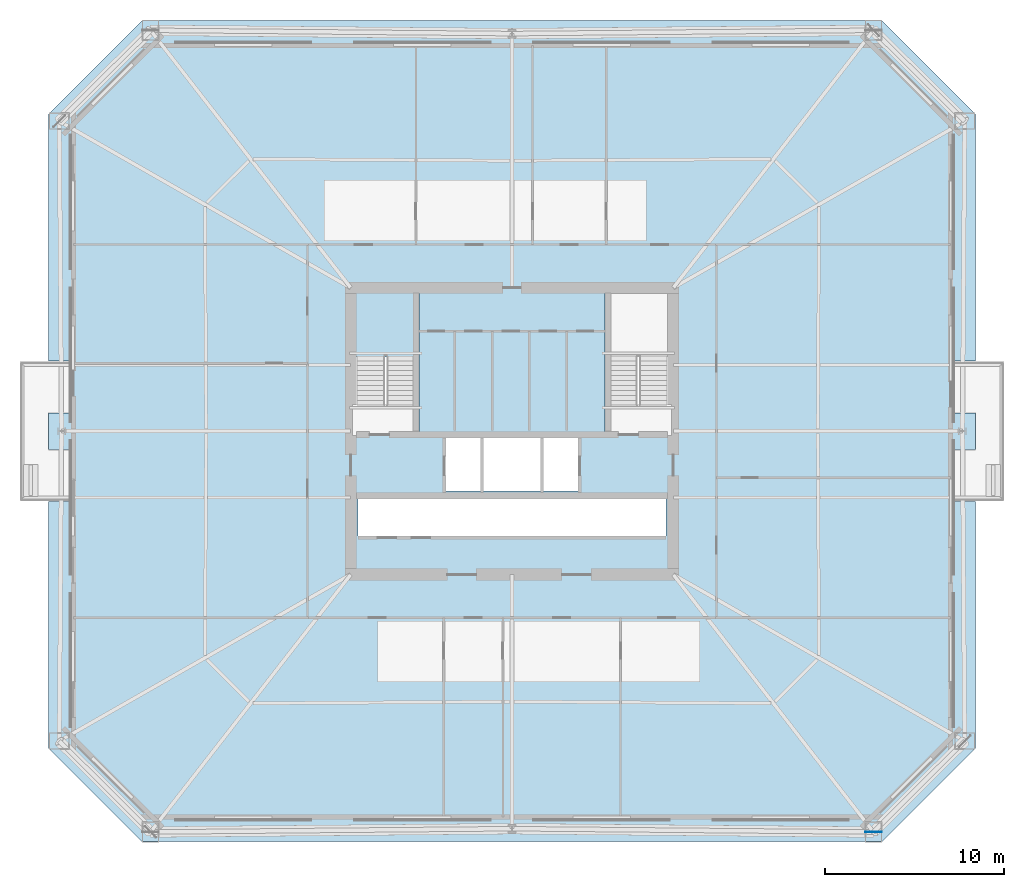
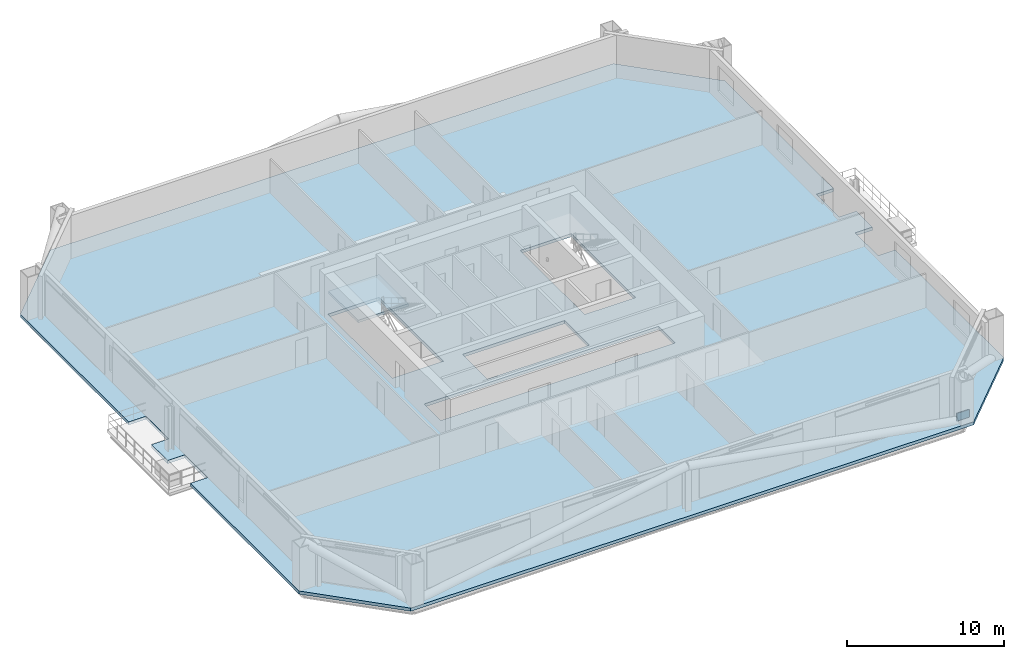
# One storey, part 3 of 10: 2 slabs, 1 plate, 1 element without a shape of its own.
"""IFC4 building model written with IfcOpenShell, lengths in metres."""

from ifc_helpers import new_model, si_unit, direction, frame, origin, origin_2d, place, context, subcontext, project, spatial, polyline, rectangle, outline, extrude, material, layer, layer_set, type_object, element, aggregate, save


model = new_model("IFC4")

# Units and contexts
model_context = context("Model", 3, precision=1e-05, world=origin(), true_north=direction((0.0, 1.0)))
body_context = subcontext(model_context, "Body", "Model", "MODEL_VIEW")
ifc_project = project(units=[si_unit("LENGTHUNIT", "METRE"), si_unit("AREAUNIT", "SQUARE_METRE"), si_unit("VOLUMEUNIT", "CUBIC_METRE"), si_unit("PLANEANGLEUNIT", "RADIAN"), si_unit("MASSUNIT", "GRAM", prefix="KILO")], contexts=[model_context])

# Site, building, storey
site_placement = place(None, origin())
site = spatial("IfcSite", under=ifc_project, at=site_placement, CompositionType="ELEMENT")
building_placement = place(site_placement, origin())
building = spatial("IfcBuilding", under=site, at=building_placement, Name="Caelvoria Tower", CompositionType="ELEMENT")
storey_placement = place(building_placement, frame((0.0, 0.0, 60.39990234375)))
storey = spatial("IfcBuildingStorey", under=building, at=storey_placement, Name="L15", CompositionType="ELEMENT", Elevation=60.39990234375)

# Plate
ifc_material_1 = material(Name="Structural Steel ASTM A572 Gr.50", Category="steel")
ifc_layer_1 = layer(ifc_material_1, 0.0400390625, Name="Structural Steel ASTM A572 Gr.50")
ifc_layer_set_1 = layer_set([ifc_layer_1], Name="Megaframe Node Gusset Plate 900x600x40 - Structural Steel ASTM A572 Gr.50")
plate_type = type_object("IfcPlateType", Name="Megaframe Node Gusset Plate 900x600x40", PredefinedType="USERDEFINED", material=ifc_layer_set_1)
plate_placement = place(storey_placement, frame((66.167724609375, 9.634765625, 0.050048828125), z_axis=(0.0, 0.0, 1.0), x_axis=(-0.999957796016, 0.009187283934, 0.0)))
element("IfcPlate", 1, at=plate_placement, inside=storey, type_object=plate_type, Name="Megaframe Node Gusset Plate ND-04", ObjectType="GUSSET_PLATE", PredefinedType="USERDEFINED", context=body_context, shape_type="SweptSolid", body=[
    extrude(rectangle(XDim=0.89990234375, YDim=0.0400390625, at=origin_2d()), origin(), (0.0, 0.0, 1.0), 0.60009765625),
])

# Stair, slab
ifc_material_2 = material(Name="Concrete C40/50", Category="concrete")
stair_type = type_object("IfcStairType", Name="Core Smokeproof Dogleg Stair Concrete C40/50", PredefinedType="HALF_TURN_STAIR", material=ifc_material_2)
stair_placement = place(storey_placement, origin())
stair = element("IfcStair", 2, at=stair_placement, inside=storey, type_object=stair_type, Name="ST-01 Smokeproof Exit Stair L15", PredefinedType="HALF_TURN_STAIR")
ifc_layer_2 = layer(ifc_material_2, 0.199951171875, Name="Concrete C40/50")
ifc_layer_set_2 = layer_set([ifc_layer_2], Name="Stair Half and Floor Landing Slab 200 Concrete C40/50 - Concrete C40/50")
slab_type_1 = type_object("IfcSlabType", Name="Stair Half and Floor Landing Slab 200 Concrete C40/50", PredefinedType="LANDING", material=ifc_layer_set_2)
slab_1_placement = place(storey_placement, frame((0.0, 0.0, 1.60009765625)))
slab_1 = element("IfcSlab", 3, at=slab_1_placement, type_object=slab_type_1, Name="ST-01 landing 2", PredefinedType="LANDING", context=body_context, shape_type="SweptSolid", body=[
    extrude(outline(polyline([(37.10009765625, 36.14990234375), (40.800048828125, 36.14990234375), (40.800048828125, 39.89990234375), (37.10009765625, 39.89990234375), (37.10009765625, 36.14990234375)])), origin(), (0.0, 0.0, 1.0), 0.199951171875),
])
aggregate(stair, [slab_1])

# Slab
ifc_layer_3 = layer(ifc_material_2, 0.239990234375, Name="Concrete C40/50")
ifc_layer_set_3 = layer_set([ifc_layer_3], Name="Tower Composite Office Slab 240 - Concrete C40/50")
slab_type_2 = type_object("IfcSlabType", Name="Tower Composite Office Slab 240", PredefinedType="FLOOR", material=ifc_layer_set_3)
slab_2_placement = place(storey_placement, frame((0.0, 0.0, -0.239990234375)))
element("IfcSlab", 4, at=slab_2_placement, inside=storey, type_object=slab_type_2, Name="Level L15 Structural Floor Slab", PredefinedType="FLOOR", context=body_context, shape_type="SweptSolid", body=[
    extrude(outline(polyline([(66.64990234375, 54.89990234375), (25.35009765625, 54.89990234375), (20.14990234375, 49.699951171875), (20.14990234375, 35.919921875), (21.409912109375, 35.919921875), (21.409912109375, 33.02001953125), (20.14990234375, 33.02001953125), (20.14990234375, 30.97998046875), (21.409912109375, 30.97998046875), (21.409912109375, 28.080078125), (20.14990234375, 28.080078125), (20.14990234375, 14.300048828125), (25.35009765625, 9.10009765625), (66.64990234375, 9.10009765625), (71.85009765625, 14.300048828125), (71.85009765625, 28.080078125), (70.590087890625, 28.080078125), (70.590087890625, 30.97998046875), (71.85009765625, 30.97998046875), (71.85009765625, 33.02001953125), (70.590087890625, 33.02001953125), (70.590087890625, 35.919921875), (71.85009765625, 35.919921875), (71.85009765625, 49.699951171875), (66.64990234375, 54.89990234375)]), holes=[polyline([(37.080078125, 31.75), (40.820068359375, 31.75), (40.820068359375, 39.919921875), (37.080078125, 39.919921875), (37.080078125, 31.75)]), polyline([(51.179931640625, 31.75), (54.919921875, 31.75), (54.919921875, 39.919921875), (51.179931640625, 39.919921875), (51.179931640625, 31.75)]), polyline([(42.25, 28.64990234375), (49.75, 28.64990234375), (49.75, 31.800048828125), (42.25, 31.800048828125), (42.25, 28.64990234375)]), polyline([(37.39990234375, 26.14990234375), (54.60009765625, 26.14990234375), (54.60009765625, 28.25), (37.39990234375, 28.25), (37.39990234375, 26.14990234375)])]), origin(), (0.0, 0.0, 1.0), 0.239990234375),
])

save(model, "model.ifc")
